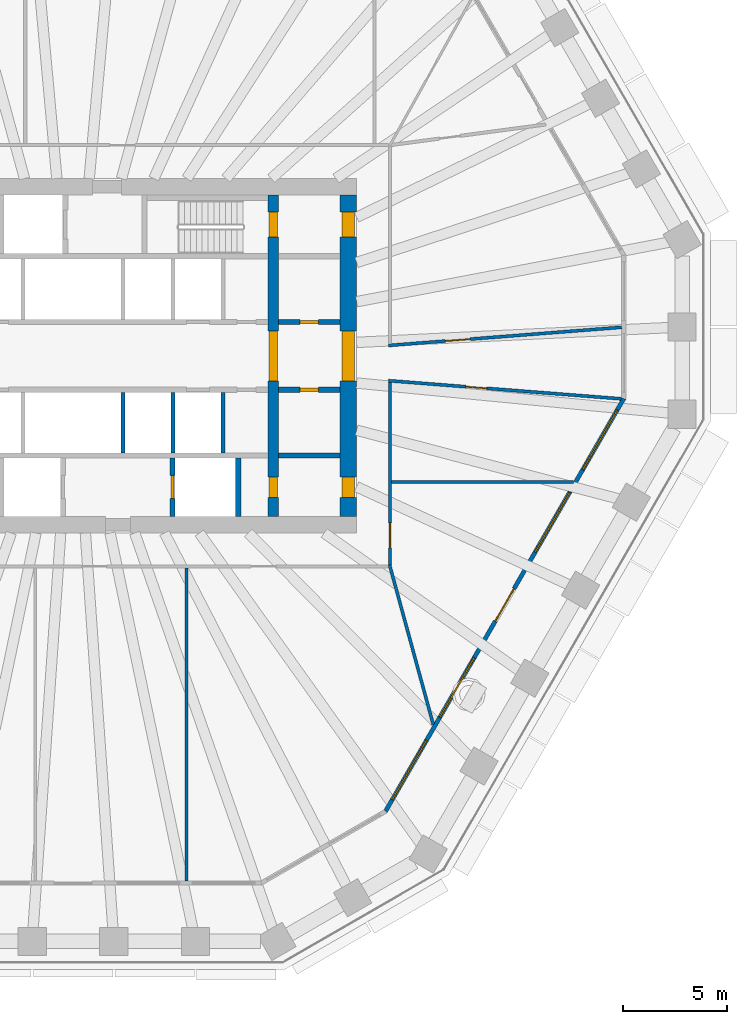
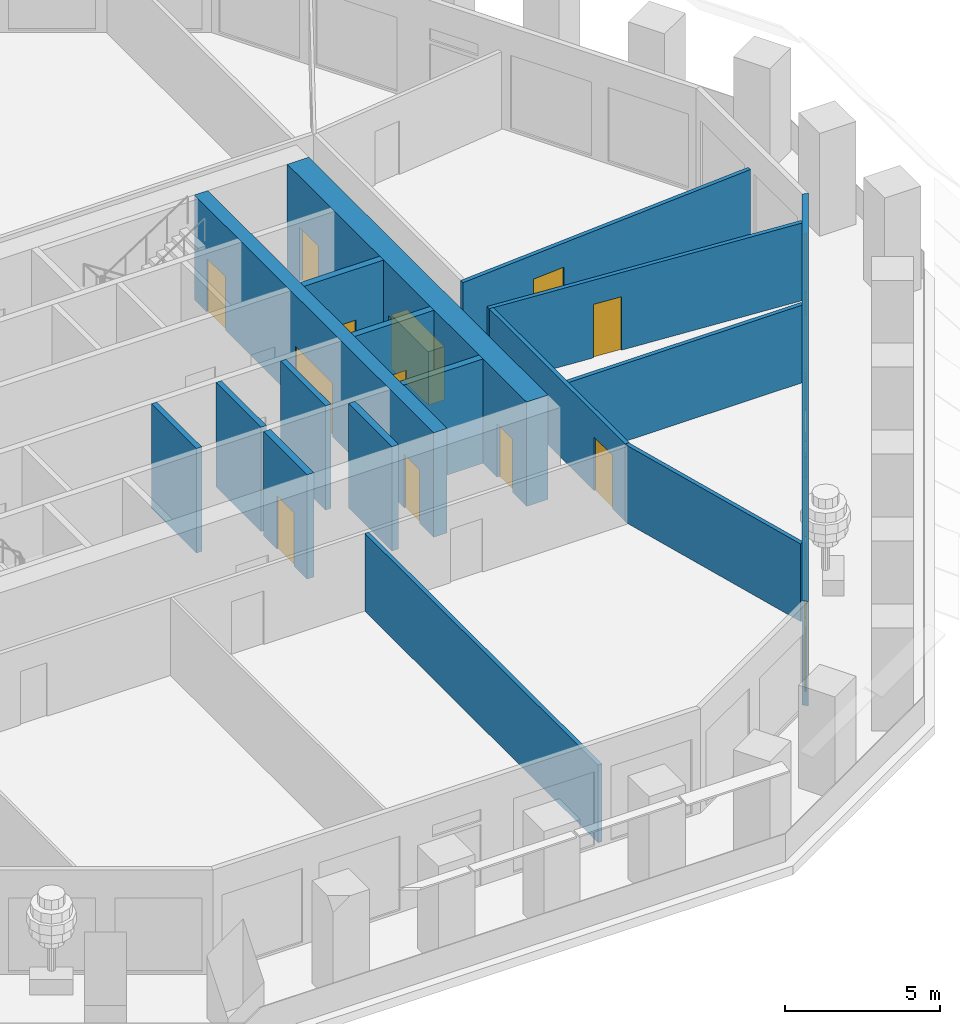
# One storey, part 5 of 12: 17 walls, 13 doors, 5 windows, 18 openings.
"""IFC4 building model written with IfcOpenShell, lengths in metres."""

from ifc_helpers import new_model, si_unit, direction, frame, frame_2d, origin, place, context, subcontext, project, spatial, polyline, rectangle, outline, extrude, material, layer, layer_set, type_object, element, fill, save


model = new_model("IFC4")

# Units and contexts
model_context = context("Model", 3, precision=1e-05, world=origin(), true_north=direction((0.0, 1.0)))
body_context = subcontext(model_context, "Body", "Model", "MODEL_VIEW")
ifc_project = project(units=[si_unit("LENGTHUNIT", "METRE"), si_unit("AREAUNIT", "SQUARE_METRE"), si_unit("VOLUMEUNIT", "CUBIC_METRE"), si_unit("PLANEANGLEUNIT", "RADIAN"), si_unit("MASSUNIT", "GRAM", prefix="KILO")], contexts=[model_context])

# Site, building, storey
site_placement = place(None, origin())
site = spatial("IfcSite", under=ifc_project, at=site_placement, CompositionType="ELEMENT")
building_placement = place(site_placement, origin())
building = spatial("IfcBuilding", under=site, at=building_placement, Name="Frailejon Research Tower", CompositionType="ELEMENT")
storey_placement = place(building_placement, frame((0.0, 0.0, 130.800048828125)))
storey = spatial("IfcBuildingStorey", under=building, at=storey_placement, Name="L28", CompositionType="ELEMENT", Elevation=130.800048828125)

# Wall, openings, doors
ifc_material_1 = material(Name="Concrete C60/75", Category="concrete")
ifc_layer_1 = layer(ifc_material_1, 0.5)
ifc_layer_set_1 = layer_set([ifc_layer_1], Name="Core shear wall 500 C60/75")
wall_type_1 = type_object("IfcWallType", Name="Core shear wall 500 C60/75", PredefinedType="SHEAR", material=ifc_layer_set_1)
wall_1_placement = place(storey_placement, frame((9.60009765625, -7.699951171875, 0.0), z_axis=(0.0, 0.0, 1.0), x_axis=(0.0, 1.0, 0.0)))
wall_1 = element("IfcWall", 1, at=wall_1_placement, inside=storey, type_object=wall_type_1, Name="Core shear wall", PredefinedType="SHEAR", context=body_context, shape_type="SweptSolid", body=[
    extrude(rectangle(XDim=15.39990234375, YDim=0.5, at=frame_2d((7.699951171875, 0.0))), origin(), (0.0, 0.0, 1.0), 4.099853515625),
])
opening_1_placement = place(wall_1_placement, frame((6.5, 0.0, 0.0)))
opening_1 = element("IfcOpeningElement", 2, at=opening_1_placement, cuts=wall_1, Name="Opening D2", PredefinedType="OPENING", context=body_context, shape_type="SweptSolid", body=[
    extrude(rectangle(XDim=2.39990234375, YDim=2.10009765625, at=frame_2d((1.199951171875, 1.050048828125))), frame((0.0, 0.260009765625, 0.0), z_axis=(0.0, -1.0, 0.0), x_axis=(1.0, 0.0, 0.0)), (0.0, 0.0, 1.0), 0.52001953125),
])
opening_2_placement = place(wall_1_placement, frame((13.39990234375, 0.0, 0.0)))
opening_2 = element("IfcOpeningElement", 3, at=opening_2_placement, cuts=wall_1, Name="Opening D1", PredefinedType="OPENING", context=body_context, shape_type="SweptSolid", body=[
    extrude(rectangle(XDim=1.199951171875, YDim=2.10009765625, at=frame_2d((0.60009765625, 1.050048828125))), frame((0.0, 0.260009765625, 0.0), z_axis=(0.0, -1.0, 0.0), x_axis=(1.0, 0.0, 0.0)), (0.0, 0.0, 1.0), 0.52001953125),
])
opening_3_placement = place(wall_1_placement, frame((0.89990234375, 0.0, 0.0)))
opening_3 = element("IfcOpeningElement", 4, at=opening_3_placement, cuts=wall_1, Name="Opening D4", PredefinedType="OPENING", context=body_context, shape_type="SweptSolid", body=[
    extrude(rectangle(XDim=1.0, YDim=2.10009765625, at=frame_2d((0.5, 1.050048828125))), frame((0.0, 0.260009765625, 0.0), z_axis=(0.0, -1.0, 0.0), x_axis=(1.0, 0.0, 0.0)), (0.0, 0.0, 1.0), 0.52001953125),
])
ifc_material_2 = material(Name="Steel", Category="steel")
door_type_1 = type_object("IfcDoorType", Name="Lobby double door", OperationType="DOUBLE_DOOR_SINGLE_SWING", PredefinedType="DOOR", material=ifc_material_2)
door_1_placement = place(opening_1_placement, origin())
door_1 = element("IfcDoor", 5, at=door_1_placement, inside=storey, type_object=door_type_1, Name="Lobby door", OperationType="DOUBLE_DOOR_SINGLE_SWING", OverallHeight=2.10009765625, OverallWidth=2.39990234375, PredefinedType="DOOR", context=body_context, shape_type="SweptSolid", body=[
    extrude(rectangle(XDim=2.39990234375, YDim=2.10009765625, at=frame_2d((1.199951171875, 1.050048828125))), frame((0.0, 0.199951171875, 0.0), z_axis=(0.0, -1.0, 0.0), x_axis=(1.0, 0.0, 0.0)), (0.0, 0.0, 1.0), 0.39990234375),
])
fill(opening_1, door_1)
ifc_material_3 = material(Name="Steel", Category="steel")
door_type_2 = type_object("IfcDoorType", Name="Service door", OperationType="SINGLE_SWING_LEFT", PredefinedType="DOOR", material=ifc_material_3)
door_2_placement = place(opening_3_placement, origin())
door_2 = element("IfcDoor", 6, at=door_2_placement, inside=storey, type_object=door_type_2, Name="Riser door", OperationType="SINGLE_SWING_RIGHT", OverallHeight=2.10009765625, OverallWidth=1.0, PredefinedType="DOOR", context=body_context, shape_type="SweptSolid", body=[
    extrude(rectangle(XDim=1.0, YDim=2.10009765625, at=frame_2d((0.5, 1.050048828125))), frame((0.0, 0.199951171875, 0.0), z_axis=(0.0, -1.0, 0.0), x_axis=(1.0, 0.0, 0.0)), (0.0, 0.0, 1.0), 0.39990234375),
])
fill(opening_3, door_2)
ifc_material_4 = material(Name="Steel", Category="steel")
door_type_3 = type_object("IfcDoorType", Name="Stair door", OperationType="SINGLE_SWING_LEFT", PredefinedType="DOOR", material=ifc_material_4)
door_3_placement = place(opening_2_placement, origin())
door_3 = element("IfcDoor", 7, at=door_3_placement, inside=storey, type_object=door_type_3, Name="Stair door ST3", OperationType="SINGLE_SWING_RIGHT", OverallHeight=2.10009765625, OverallWidth=1.199951171875, PredefinedType="DOOR", context=body_context, shape_type="SweptSolid", body=[
    extrude(rectangle(XDim=1.199951171875, YDim=2.10009765625, at=frame_2d((0.60009765625, 1.050048828125))), frame((0.0, 0.199951171875, 0.0), z_axis=(0.0, -1.0, 0.0), x_axis=(1.0, 0.0, 0.0)), (0.0, 0.0, 1.0), 0.39990234375),
])
fill(opening_2, door_3)

ifc_material_5 = material(Name="Concrete C60/75", Category="concrete")
ifc_layer_2 = layer(ifc_material_5, 0.800048828125)
ifc_layer_set_2 = layer_set([ifc_layer_2], Name="Core shear wall 800 C60/75")
wall_type_2 = type_object("IfcWallType", Name="Core shear wall 800 C60/75", PredefinedType="SHEAR", material=ifc_layer_set_2)
wall_2_placement = place(storey_placement, frame((13.199951171875, -7.699951171875, 0.0), z_axis=(0.0, 0.0, 1.0), x_axis=(0.0, 1.0, 0.0)))
wall_2 = element("IfcWall", 8, at=wall_2_placement, inside=storey, type_object=wall_type_2, Name="Core shear wall", PredefinedType="SHEAR", context=body_context, shape_type="SweptSolid", body=[
    extrude(rectangle(XDim=15.39990234375, YDim=0.800048828125, at=frame_2d((7.699951171875, 0.0))), origin(), (0.0, 0.0, 1.0), 4.099853515625),
])
opening_4_placement = place(wall_2_placement, frame((6.5, 0.0, 0.0)))
opening_4 = element("IfcOpeningElement", 9, at=opening_4_placement, cuts=wall_2, Name="Opening D2", PredefinedType="OPENING", context=body_context, shape_type="SweptSolid", body=[
    extrude(rectangle(XDim=2.39990234375, YDim=2.10009765625, at=frame_2d((1.199951171875, 1.050048828125))), frame((0.0, 0.409912109375, 0.0), z_axis=(0.0, -1.0, 0.0), x_axis=(1.0, 0.0, 0.0)), (0.0, 0.0, 1.0), 0.820068359375),
])
opening_5_placement = place(wall_2_placement, frame((13.39990234375, 0.0, 0.0)))
opening_5 = element("IfcOpeningElement", 10, at=opening_5_placement, cuts=wall_2, Name="Opening D7", PredefinedType="OPENING", context=body_context, shape_type="SweptSolid", body=[
    extrude(rectangle(XDim=1.199951171875, YDim=2.10009765625, at=frame_2d((0.60009765625, 1.050048828125))), frame((0.0, 0.409912109375, 0.0), z_axis=(0.0, -1.0, 0.0), x_axis=(1.0, 0.0, 0.0)), (0.0, 0.0, 1.0), 0.820068359375),
])
opening_6_placement = place(wall_2_placement, frame((0.89990234375, 0.0, 0.0)))
opening_6 = element("IfcOpeningElement", 11, at=opening_6_placement, cuts=wall_2, Name="Opening D4", PredefinedType="OPENING", context=body_context, shape_type="SweptSolid", body=[
    extrude(rectangle(XDim=1.0, YDim=2.10009765625, at=frame_2d((0.5, 1.050048828125))), frame((0.0, 0.409912109375, 0.0), z_axis=(0.0, -1.0, 0.0), x_axis=(1.0, 0.0, 0.0)), (0.0, 0.0, 1.0), 0.820068359375),
])
door_4_placement = place(opening_4_placement, origin())
door_4 = element("IfcDoor", 12, at=door_4_placement, inside=storey, type_object=door_type_1, Name="Lobby door", OperationType="DOUBLE_DOOR_SINGLE_SWING", OverallHeight=2.10009765625, OverallWidth=2.39990234375, PredefinedType="DOOR", context=body_context, shape_type="SweptSolid", body=[
    extrude(rectangle(XDim=2.39990234375, YDim=2.10009765625, at=frame_2d((1.199951171875, 1.050048828125))), frame((0.0, 0.300048828125, 0.0), z_axis=(0.0, -1.0, 0.0), x_axis=(1.0, 0.0, 0.0)), (0.0, 0.0, 1.0), 0.60009765625),
])
fill(opening_4, door_4)
door_5_placement = place(opening_6_placement, origin())
door_5 = element("IfcDoor", 13, at=door_5_placement, inside=storey, type_object=door_type_2, Name="Store door", OperationType="SINGLE_SWING_LEFT", OverallHeight=2.10009765625, OverallWidth=1.0, PredefinedType="DOOR", context=body_context, shape_type="SweptSolid", body=[
    extrude(rectangle(XDim=1.0, YDim=2.10009765625, at=frame_2d((0.5, 1.050048828125))), frame((0.0, 0.300048828125, 0.0), z_axis=(0.0, -1.0, 0.0), x_axis=(1.0, 0.0, 0.0)), (0.0, 0.0, 1.0), 0.60009765625),
])
fill(opening_6, door_5)
ifc_material_6 = material(Name="Steel", Category="steel")
door_type_4 = type_object("IfcDoorType", Name="Stair exit door", OperationType="SINGLE_SWING_LEFT", PredefinedType="DOOR", material=ifc_material_6)
door_6_placement = place(opening_5_placement, origin())
door_6 = element("IfcDoor", 14, at=door_6_placement, inside=storey, type_object=door_type_4, Name="Stair exit door ST3", OperationType="SINGLE_SWING_LEFT", OverallHeight=2.10009765625, OverallWidth=1.199951171875, PredefinedType="DOOR", context=body_context, shape_type="SweptSolid", body=[
    extrude(rectangle(XDim=1.199951171875, YDim=2.10009765625, at=frame_2d((0.60009765625, 1.050048828125))), frame((0.0, 0.300048828125, 0.0), z_axis=(0.0, -1.0, 0.0), x_axis=(1.0, 0.0, 0.0)), (0.0, 0.0, 1.0), 0.60009765625),
])
fill(opening_5, door_6)

# Wall, opening, door
ifc_material_7 = material(Name="Gypsum board and masonry partition", Category="masonry")
ifc_layer_3 = layer(ifc_material_7, 0.14990234375)
ifc_layer_set_3 = layer_set([ifc_layer_3], Name="Corridor wall EI 60, gypsum on steel studs 150")
wall_type_3 = type_object("IfcWallType", Name="Corridor wall EI 60, gypsum on steel studs 150", PredefinedType="PARTITIONING", material=ifc_layer_set_3)
wall_3_placement = place(storey_placement, frame((15.199951171875, -10.02490234375, 0.0), z_axis=(0.0, 0.0, 1.0), x_axis=(0.0, 1.0, 0.0)))
wall_3 = element("IfcWall", 15, at=wall_3_placement, inside=storey, type_object=wall_type_3, Name="T:IW:L28:003", PredefinedType="PARTITIONING", context=body_context, shape_type="SweptSolid", body=[
    extrude(rectangle(XDim=8.75048828125, YDim=0.14990234375, at=frame_2d((4.375244140625, 0.0))), origin(), (0.0, 0.0, 1.0), 3.050048828125),
])
opening_7_placement = place(wall_3_placement, frame((0.812744140625, 0.0, 0.0)))
opening_7 = element("IfcOpeningElement", 16, at=opening_7_placement, cuts=wall_3, Name="Opening D1677", PredefinedType="OPENING", context=body_context, shape_type="SweptSolid", body=[
    extrude(rectangle(XDim=1.199951171875, YDim=2.10009765625, at=frame_2d((0.60009765625, 1.050048828125))), frame((0.0, 0.0849609375, 0.0), z_axis=(0.0, -1.0, 0.0), x_axis=(1.0, 0.0, 0.0)), (0.0, 0.0, 1.0), 0.169921875),
])
ifc_material_8 = material(Name="Timber door leaf", Category="wood")
door_type_5 = type_object("IfcDoorType", Name="Door laboratory, timber, vision panel 1200", OperationType="NOTDEFINED", PredefinedType="DOOR", material=ifc_material_8)
door_7_placement = place(opening_7_placement, origin())
door_7 = element("IfcDoor", 17, at=door_7_placement, inside=storey, type_object=door_type_5, Name="D1677", OperationType="DOUBLE_DOOR_SINGLE_SWING", OverallHeight=2.10009765625, OverallWidth=1.199951171875, PredefinedType="DOOR", context=body_context, shape_type="SweptSolid", body=[
    extrude(rectangle(XDim=1.199951171875, YDim=2.10009765625, at=frame_2d((0.60009765625, 1.050048828125))), frame((0.0, 0.02490234375, 0.0), z_axis=(0.0, -1.0, 0.0), x_axis=(1.0, 0.0, 0.0)), (0.0, 0.0, 1.0), 0.050048828125),
])
fill(opening_7, door_7)

wall_4_placement = place(storey_placement, frame((15.125244140625, 0.494873046875, 0.0), z_axis=(0.0, 0.0, 1.0), x_axis=(0.996973035288, 0.07774809907, 0.0)))
wall_4 = element("IfcWall", 18, at=wall_4_placement, inside=storey, type_object=wall_type_3, Name="T:IW:L28:009", PredefinedType="PARTITIONING", context=body_context, shape_type="SweptSolid", body=[
    extrude(rectangle(XDim=11.2197265625, YDim=0.14990234375, at=frame_2d((5.60986328125, 0.0))), origin(), (0.0, 0.0, 1.0), 3.050048828125),
])
opening_8_placement = place(wall_4_placement, frame((2.736083984375, 0.0, 0.0)))
opening_8 = element("IfcOpeningElement", 19, at=opening_8_placement, cuts=wall_4, Name="Opening D1663", PredefinedType="OPENING", context=body_context, shape_type="SweptSolid", body=[
    extrude(rectangle(XDim=1.199951171875, YDim=2.10009765625, at=frame_2d((0.60009765625, 1.050048828125))), frame((0.0, 0.0849609375, 0.0), z_axis=(0.0, -1.0, 0.0), x_axis=(1.0, 0.0, 0.0)), (0.0, 0.0, 1.0), 0.169921875),
])
door_8_placement = place(opening_8_placement, origin())
door_8 = element("IfcDoor", 20, at=door_8_placement, inside=storey, type_object=door_type_5, Name="D1663", OperationType="DOUBLE_DOOR_SINGLE_SWING", OverallHeight=2.10009765625, OverallWidth=1.199951171875, PredefinedType="DOOR", context=body_context, shape_type="SweptSolid", body=[
    extrude(rectangle(XDim=1.199951171875, YDim=2.10009765625, at=frame_2d((0.60009765625, 1.050048828125))), frame((0.0, 0.02490234375, 0.0), z_axis=(0.0, -1.0, 0.0), x_axis=(1.0, 0.0, 0.0)), (0.0, 0.0, 1.0), 0.050048828125),
])
fill(opening_8, door_8)

wall_5_placement = place(storey_placement, frame((15.125244140625, -1.193603515625, 0.0), z_axis=(0.0, 0.0, 1.0), x_axis=(0.996973662759, -0.07774005251, 0.0)))
wall_5 = element("IfcWall", 21, at=wall_5_placement, inside=storey, type_object=wall_type_3, Name="T:IW:L28:010", PredefinedType="PARTITIONING", context=body_context, shape_type="SweptSolid", body=[
    extrude(rectangle(XDim=11.198974609375, YDim=0.14990234375, at=frame_2d((5.599609375, 0.0))), origin(), (0.0, 0.0, 1.0), 3.050048828125),
])
opening_9_placement = place(wall_5_placement, frame((3.723388671875, 0.0, 0.0)))
opening_9 = element("IfcOpeningElement", 22, at=opening_9_placement, cuts=wall_5, Name="Opening D1678", PredefinedType="OPENING", context=body_context, shape_type="SweptSolid", body=[
    extrude(rectangle(XDim=1.0, YDim=2.10009765625, at=frame_2d((0.5, 1.050048828125))), frame((0.0, 0.0849609375, 0.0), z_axis=(0.0, -1.0, 0.0), x_axis=(1.0, 0.0, 0.0)), (0.0, 0.0, 1.0), 0.169921875),
])
ifc_material_9 = material(Name="Timber door leaf", Category="wood")
door_type_6 = type_object("IfcDoorType", Name="Door single leaf, timber, steel frame 1000", OperationType="NOTDEFINED", PredefinedType="DOOR", material=ifc_material_9)
door_9_placement = place(opening_9_placement, origin())
door_9 = element("IfcDoor", 23, at=door_9_placement, inside=storey, type_object=door_type_6, Name="D1678", OperationType="SINGLE_SWING_RIGHT", OverallHeight=2.10009765625, OverallWidth=1.0, PredefinedType="DOOR", context=body_context, shape_type="SweptSolid", body=[
    extrude(rectangle(XDim=1.0, YDim=2.10009765625, at=frame_2d((0.5, 1.050048828125))), frame((0.0, 0.02490234375, 0.0), z_axis=(0.0, -1.0, 0.0), x_axis=(1.0, 0.0, 0.0)), (0.0, 0.0, 1.0), 0.050048828125),
])
fill(opening_9, door_9)

# Walls
ifc_material_10 = material(Name="Gypsum board and masonry partition", Category="masonry")
ifc_layer_4 = layer(ifc_material_10, 0.14990234375)
ifc_layer_set_4 = layer_set([ifc_layer_4], Name="Laboratory partition, blockwork 150")
wall_type_4 = type_object("IfcWallType", Name="Laboratory partition, blockwork 150", PredefinedType="PARTITIONING", material=ifc_layer_set_4)
wall_6_placement = place(storey_placement, frame((5.434814453125, -25.182861328125, 0.0), z_axis=(0.0, 0.0, 1.0), x_axis=(0.0, 1.0, 0.0)))
element("IfcWall", 24, at=wall_6_placement, inside=storey, type_object=wall_type_4, Name="T:IW:L28:016", PredefinedType="PARTITIONING", context=body_context, shape_type="SweptSolid", body=[
    extrude(rectangle(XDim=15.0078125, YDim=0.14990234375, at=frame_2d((7.50390625, 0.0))), origin(), (0.0, 0.0, 1.0), 3.050048828125),
])
wall_7_placement = place(storey_placement, frame((15.18017578125, -10.027587890625, 0.0), z_axis=(0.0, 0.0, 1.0), x_axis=(0.263973985393, -0.964529799973, 0.0)))
element("IfcWall", 25, at=wall_7_placement, inside=storey, type_object=wall_type_4, Name="T:IW:L28:017", PredefinedType="PARTITIONING", context=body_context, shape_type="SweptSolid", body=[
    extrude(rectangle(XDim=7.93359375, YDim=0.14990234375, at=frame_2d((3.966796875, 0.0))), origin(), (0.0, 0.0, 1.0), 3.050048828125),
])
wall_8_placement = place(storey_placement, frame((15.27490234375, -6.048828125, 0.0), z_axis=(0.0, 0.0, 1.0), x_axis=(1.0, 0.0, 0.0)))
element("IfcWall", 26, at=wall_8_placement, inside=storey, type_object=wall_type_4, Name="T:IW:L28:018", PredefinedType="PARTITIONING", context=body_context, shape_type="SweptSolid", body=[
    extrude(rectangle(XDim=8.714599609375, YDim=0.14990234375, at=frame_2d((4.357421875, 0.0))), origin(), (0.0, 0.0, 1.0), 3.050048828125),
])
ifc_material_11 = material(Name="Concrete C60/75", Category="concrete")
ifc_layer_5 = layer(ifc_material_11, 0.199951171875)
ifc_layer_set_5 = layer_set([ifc_layer_5], Name="Shaft wall 200 C60/75")
wall_type_5 = type_object("IfcWallType", Name="Shaft wall 200 C60/75", PredefinedType="SOLIDWALL", material=ifc_layer_set_5)
for number, where, z_axis, x_axis, name in (
    (27, (2.39990234375, -4.64990234375, 0.0), (0.0, 0.0, 1.0), (0.0, 1.0, 0.0), "Shaft wall"),
    (28, (4.800048828125, -4.64990234375, 0.0), (0.0, 0.0, 1.0), (0.0, 1.0, 0.0), "Shaft wall"),
    (29, (7.199951171875, -4.64990234375, 0.0), (0.0, 0.0, 1.0), (0.0, 1.0, 0.0), "Shaft wall"),
):
    element("IfcWall", number, at=place(storey_placement, frame(where, z_axis=z_axis, x_axis=x_axis)), inside=storey, type_object=wall_type_5, Name=name, PredefinedType="SOLIDWALL", context=body_context, shape_type="SweptSolid", body=[
        extrude(rectangle(XDim=2.89990234375, YDim=0.199951171875, at=frame_2d((1.449951171875, 0.0))), origin(), (0.0, 0.0, 1.0), 4.099853515625),
    ])

# Wall, opening, door
ifc_material_12 = material(Name="Concrete C60/75", Category="concrete")
ifc_layer_6 = layer(ifc_material_12, 0.25)
ifc_layer_set_6 = layer_set([ifc_layer_6], Name="Shaft wall 250 C60/75")
wall_type_6 = type_object("IfcWallType", Name="Shaft wall 250 C60/75", PredefinedType="SOLIDWALL", material=ifc_layer_set_6)
wall_9_placement = place(storey_placement, frame((9.85009765625, 1.625, 0.0), z_axis=(0.0, 0.0, 1.0), x_axis=(1.0, 0.0, 0.0)))
wall_9 = element("IfcWall", 30, at=wall_9_placement, inside=storey, type_object=wall_type_6, Name="Shaft wall", PredefinedType="SOLIDWALL", context=body_context, shape_type="SweptSolid", body=[
    extrude(rectangle(XDim=2.949951171875, YDim=0.25, at=frame_2d((1.47509765625, 0.0))), origin(), (0.0, 0.0, 1.0), 4.099853515625),
])
opening_10_placement = place(wall_9_placement, frame((1.02490234375, 0.0, 0.0)))
opening_10 = element("IfcOpeningElement", 31, at=opening_10_placement, cuts=wall_9, Name="Opening D8", PredefinedType="OPENING", context=body_context, shape_type="SweptSolid", body=[
    extrude(rectangle(XDim=0.89990234375, YDim=2.10009765625, at=frame_2d((0.449951171875, 1.050048828125))), frame((0.0, 0.135009765625, 0.0), z_axis=(0.0, -1.0, 0.0), x_axis=(1.0, 0.0, 0.0)), (0.0, 0.0, 1.0), 0.27001953125),
])
ifc_material_13 = material(Name="Steel", Category="steel")
door_type_7 = type_object("IfcDoorType", Name="Core room door", OperationType="SINGLE_SWING_LEFT", PredefinedType="DOOR", material=ifc_material_13)
door_10_placement = place(opening_10_placement, origin())
door_10 = element("IfcDoor", 32, at=door_10_placement, inside=storey, type_object=door_type_7, Name="Room door", OperationType="SINGLE_SWING_LEFT", OverallHeight=2.10009765625, OverallWidth=0.89990234375, PredefinedType="DOOR", context=body_context, shape_type="SweptSolid", body=[
    extrude(rectangle(XDim=0.89990234375, YDim=2.10009765625, at=frame_2d((0.449951171875, 1.050048828125))), frame((0.0, 0.074951171875, 0.0), z_axis=(0.0, -1.0, 0.0), x_axis=(1.0, 0.0, 0.0)), (0.0, 0.0, 1.0), 0.14990234375),
])
fill(opening_10, door_10)

wall_10_placement = place(storey_placement, frame((9.85009765625, -1.625, 0.0), z_axis=(0.0, 0.0, 1.0), x_axis=(1.0, 0.0, 0.0)))
wall_10 = element("IfcWall", 33, at=wall_10_placement, inside=storey, type_object=wall_type_6, Name="Shaft wall", PredefinedType="SOLIDWALL", context=body_context, shape_type="SweptSolid", body=[
    extrude(rectangle(XDim=2.949951171875, YDim=0.25, at=frame_2d((1.47509765625, 0.0))), origin(), (0.0, 0.0, 1.0), 4.099853515625),
])
opening_11_placement = place(wall_10_placement, frame((1.02490234375, 0.0, 0.0)))
opening_11 = element("IfcOpeningElement", 34, at=opening_11_placement, cuts=wall_10, Name="Opening D8", PredefinedType="OPENING", context=body_context, shape_type="SweptSolid", body=[
    extrude(rectangle(XDim=0.89990234375, YDim=2.10009765625, at=frame_2d((0.449951171875, 1.050048828125))), frame((0.0, 0.135009765625, 0.0), z_axis=(0.0, -1.0, 0.0), x_axis=(1.0, 0.0, 0.0)), (0.0, 0.0, 1.0), 0.27001953125),
])
door_11_placement = place(opening_11_placement, origin())
door_11 = element("IfcDoor", 35, at=door_11_placement, inside=storey, type_object=door_type_7, Name="Room door", OperationType="SINGLE_SWING_LEFT", OverallHeight=2.10009765625, OverallWidth=0.89990234375, PredefinedType="DOOR", context=body_context, shape_type="SweptSolid", body=[
    extrude(rectangle(XDim=0.89990234375, YDim=2.10009765625, at=frame_2d((0.449951171875, 1.050048828125))), frame((0.0, 0.074951171875, 0.0), z_axis=(0.0, -1.0, 0.0), x_axis=(1.0, 0.0, 0.0)), (0.0, 0.0, 1.0), 0.14990234375),
])
fill(opening_11, door_11)

# Wall
wall_11_placement = place(storey_placement, frame((9.85009765625, -4.77490234375, 0.0), z_axis=(0.0, 0.0, 1.0), x_axis=(1.0, 0.0, 0.0)))
element("IfcWall", 36, at=wall_11_placement, inside=storey, type_object=wall_type_6, Name="Shaft wall", PredefinedType="SOLIDWALL", context=body_context, shape_type="SweptSolid", body=[
    extrude(rectangle(XDim=2.949951171875, YDim=0.25, at=frame_2d((1.47509765625, 0.0))), origin(), (0.0, 0.0, 1.0), 4.099853515625),
])

# Wall, opening, door
wall_12_placement = place(storey_placement, frame((4.77490234375, -7.699951171875, 0.0), z_axis=(0.0, 0.0, 1.0), x_axis=(0.0, 1.0, 0.0)))
wall_12 = element("IfcWall", 37, at=wall_12_placement, inside=storey, type_object=wall_type_6, Name="Shaft wall", PredefinedType="SOLIDWALL", context=body_context, shape_type="SweptSolid", body=[
    extrude(rectangle(XDim=2.800048828125, YDim=0.25, at=frame_2d((1.39990234375, 0.0))), origin(), (0.0, 0.0, 1.0), 4.099853515625),
])
opening_12_placement = place(wall_12_placement, frame((0.85009765625, 0.0, 0.0)))
opening_12 = element("IfcOpeningElement", 38, at=opening_12_placement, cuts=wall_12, Name="Opening LD", PredefinedType="OPENING", context=body_context, shape_type="SweptSolid", body=[
    extrude(rectangle(XDim=1.10009765625, YDim=2.10009765625, at=frame_2d((0.550048828125, 1.050048828125))), frame((0.0, 0.135009765625, 0.0), z_axis=(0.0, -1.0, 0.0), x_axis=(1.0, 0.0, 0.0)), (0.0, 0.0, 1.0), 0.27001953125),
])
ifc_material_14 = material(Name="Steel", Category="steel")
door_type_8 = type_object("IfcDoorType", Name="Lift landing door", OperationType="DOUBLE_DOOR_SLIDING", PredefinedType="DOOR", material=ifc_material_14)
door_12_placement = place(opening_12_placement, origin())
door_12 = element("IfcDoor", 39, at=door_12_placement, inside=storey, type_object=door_type_8, Name="Lift landing door", OperationType="DOUBLE_DOOR_SLIDING", OverallHeight=2.10009765625, OverallWidth=1.10009765625, PredefinedType="DOOR", context=body_context, shape_type="SweptSolid", body=[
    extrude(rectangle(XDim=1.10009765625, YDim=2.10009765625, at=frame_2d((0.550048828125, 1.050048828125))), frame((0.0, 0.074951171875, 0.0), z_axis=(0.0, -1.0, 0.0), x_axis=(1.0, 0.0, 0.0)), (0.0, 0.0, 1.0), 0.14990234375),
])
fill(opening_12, door_12)

# Wall
wall_13_placement = place(storey_placement, frame((7.925048828125, -7.699951171875, 0.0), z_axis=(0.0, 0.0, 1.0), x_axis=(0.0, 1.0, 0.0)))
element("IfcWall", 40, at=wall_13_placement, inside=storey, type_object=wall_type_6, Name="Shaft wall", PredefinedType="SOLIDWALL", context=body_context, shape_type="SweptSolid", body=[
    extrude(rectangle(XDim=2.800048828125, YDim=0.25, at=frame_2d((1.39990234375, 0.0))), origin(), (0.0, 0.0, 1.0), 4.099853515625),
])

# Wall, openings, door, windows
ifc_material_15 = material(Name="Concrete C40/50 precast window wall panel", Category="concrete")
ifc_layer_7 = layer(ifc_material_15, 0.199951171875)
ifc_layer_set_7 = layer_set([ifc_layer_7], Name="Window wall 200")
wall_type_7 = type_object("IfcWallType", Name="Window wall 200", PredefinedType="SOLIDWALL", material=ifc_layer_set_7)
wall_14_placement = place(storey_placement, frame((14.98486328125, -21.845458984375, 0.0), z_axis=(0.0, 0.0, 1.0), x_axis=(0.50000204422, 0.86602422355, 0.0)))
wall_14 = element("IfcWall", 41, at=wall_14_placement, inside=storey, type_object=wall_type_7, Name="Exterior wall L28", PredefinedType="SOLIDWALL", context=body_context, shape_type="SweptSolid", body=[
    extrude(outline(polyline([(-0.02685546875, -0.10009765625), (1.014404296875, -0.10009765625), (2.055419921875, -0.10009765625), (3.0966796875, -0.10009765625), (4.137939453125, -0.10009765625), (5.17919921875, -0.10009765625), (6.22021484375, -0.10009765625), (7.261474609375, -0.10009765625), (8.302734375, -0.10009765625), (9.343994140625, -0.10009765625), (10.385009765625, -0.10009765625), (11.42626953125, -0.10009765625), (12.467529296875, -0.10009765625), (13.508544921875, -0.10009765625), (14.5498046875, -0.10009765625), (15.591064453125, -0.10009765625), (16.63232421875, -0.10009765625), (17.67333984375, -0.10009765625), (18.714599609375, -0.10009765625), (19.755859375, -0.10009765625), (20.797119140625, -0.10009765625), (21.838134765625, -0.10009765625), (22.87939453125, -0.10009765625), (22.82568359375, 0.10009765625), (21.789306640625, 0.10009765625), (20.753173828125, 0.10009765625), (19.716796875, 0.10009765625), (18.680419921875, 0.10009765625), (17.64404296875, 0.10009765625), (16.60791015625, 0.10009765625), (15.571533203125, 0.10009765625), (14.53515625, 0.10009765625), (13.498779296875, 0.10009765625), (12.462646484375, 0.10009765625), (11.42626953125, 0.10009765625), (10.389892578125, 0.10009765625), (9.353759765625, 0.10009765625), (8.3173828125, 0.10009765625), (7.281005859375, 0.10009765625), (6.24462890625, 0.10009765625), (5.20849609375, 0.10009765625), (4.172119140625, 0.10009765625), (3.1357421875, 0.10009765625), (2.099365234375, 0.10009765625), (1.063232421875, 0.10009765625), (0.02685546875, 0.10009765625), (-0.02685546875, -0.10009765625)])), origin(), (0.0, 0.0, 1.0), 4.099853515625),
])
opening_13_placement = place(wall_14_placement, frame((0.63525390625, 0.0, 0.10009765625)))
opening_13 = element("IfcOpeningElement", 42, at=opening_13_placement, cuts=wall_14, Name="Opening W5", PredefinedType="OPENING", context=body_context, shape_type="SweptSolid", body=[
    extrude(rectangle(XDim=3.300048828125, YDim=2.89990234375, at=frame_2d((1.64990234375, 1.449951171875))), frame((0.0, 0.10986328125, 0.0), z_axis=(0.0, -1.0, 0.0), x_axis=(1.0, 0.0, 0.0)), (0.0, 0.0, 1.0), 0.219970703125),
])
opening_14_placement = place(wall_14_placement, frame((5.205810546875, 0.0, 0.10009765625)))
opening_14 = element("IfcOpeningElement", 43, at=opening_14_placement, cuts=wall_14, Name="Opening W5", PredefinedType="OPENING", context=body_context, shape_type="SweptSolid", body=[
    extrude(rectangle(XDim=3.300048828125, YDim=2.89990234375, at=frame_2d((1.64990234375, 1.449951171875))), frame((0.0, 0.10986328125, 0.0), z_axis=(0.0, -1.0, 0.0), x_axis=(1.0, 0.0, 0.0)), (0.0, 0.0, 1.0), 0.219970703125),
])
opening_15_placement = place(wall_14_placement, frame((10.5263671875, 0.0, 0.0)))
opening_15 = element("IfcOpeningElement", 44, at=opening_15_placement, cuts=wall_14, Name="Opening LG28-6", PredefinedType="OPENING", context=body_context, shape_type="SweptSolid", body=[
    extrude(rectangle(XDim=1.800048828125, YDim=2.39990234375, at=frame_2d((0.89990234375, 1.199951171875))), frame((0.0, 0.10986328125, 0.0), z_axis=(0.0, -1.0, 0.0), x_axis=(1.0, 0.0, 0.0)), (0.0, 0.0, 1.0), 0.219970703125),
])
opening_16_placement = place(wall_14_placement, frame((10.5263671875, 0.0, 2.550048828125)))
opening_16 = element("IfcOpeningElement", 45, at=opening_16_placement, cuts=wall_14, Name="Opening W1", PredefinedType="OPENING", context=body_context, shape_type="SweptSolid", body=[
    extrude(rectangle(XDim=1.800048828125, YDim=0.449951171875, at=frame_2d((0.89990234375, 0.22509765625))), frame((0.0, 0.10986328125, 0.0), z_axis=(0.0, -1.0, 0.0), x_axis=(1.0, 0.0, 0.0)), (0.0, 0.0, 1.0), 0.219970703125),
])
opening_17_placement = place(wall_14_placement, frame((14.3466796875, 0.0, 0.10009765625)))
opening_17 = element("IfcOpeningElement", 46, at=opening_17_placement, cuts=wall_14, Name="Opening W5", PredefinedType="OPENING", context=body_context, shape_type="SweptSolid", body=[
    extrude(rectangle(XDim=3.300048828125, YDim=2.89990234375, at=frame_2d((1.64990234375, 1.449951171875))), frame((0.0, 0.10986328125, 0.0), z_axis=(0.0, -1.0, 0.0), x_axis=(1.0, 0.0, 0.0)), (0.0, 0.0, 1.0), 0.219970703125),
])
opening_18_placement = place(wall_14_placement, frame((18.917236328125, 0.0, 0.10009765625)))
opening_18 = element("IfcOpeningElement", 47, at=opening_18_placement, cuts=wall_14, Name="Opening W5", PredefinedType="OPENING", context=body_context, shape_type="SweptSolid", body=[
    extrude(rectangle(XDim=3.300048828125, YDim=2.89990234375, at=frame_2d((1.64990234375, 1.449951171875))), frame((0.0, 0.10986328125, 0.0), z_axis=(0.0, -1.0, 0.0), x_axis=(1.0, 0.0, 0.0)), (0.0, 0.0, 1.0), 0.219970703125),
])
ifc_material_16 = material(Name="Aluminium framed glazed door leaf", Category="aluminium")
door_type_9 = type_object("IfcDoorType", Name="Loggia door 1800x2400", OperationType="DOUBLE_DOOR_SINGLE_SWING", PredefinedType="DOOR", material=ifc_material_16)
door_13_placement = place(opening_15_placement, origin())
door_13 = element("IfcDoor", 48, at=door_13_placement, inside=storey, type_object=door_type_9, Name="Door LG28-6", OperationType="DOUBLE_DOOR_SINGLE_SWING", OverallHeight=2.39990234375, OverallWidth=1.800048828125, PredefinedType="DOOR", context=body_context, shape_type="SweptSolid", body=[
    extrude(rectangle(XDim=1.800048828125, YDim=2.39990234375, at=frame_2d((0.89990234375, 1.199951171875))), frame((0.0, 0.02490234375, 0.0), z_axis=(0.0, -1.0, 0.0), x_axis=(1.0, 0.0, 0.0)), (0.0, 0.0, 1.0), 0.050048828125),
])
fill(opening_15, door_13)
ifc_material_17 = material(Name="Aluminium framed double glazing", Category="aluminium")
window_type_1 = type_object("IfcWindowType", Name="Window 1800x450", PartitioningType="SINGLE_PANEL", PredefinedType="WINDOW", material=ifc_material_17)
window_1_placement = place(opening_16_placement, origin())
window_1 = element("IfcWindow", 49, at=window_1_placement, inside=storey, type_object=window_type_1, Name="Window L28", OverallHeight=0.449951171875, OverallWidth=1.800048828125, PartitioningType="SINGLE_PANEL", PredefinedType="WINDOW", context=body_context, shape_type="SweptSolid", body=[
    extrude(rectangle(XDim=1.800048828125, YDim=0.449951171875, at=frame_2d((0.89990234375, 0.22509765625))), frame((0.0, 0.030029296875, 0.0), z_axis=(0.0, -1.0, 0.0), x_axis=(1.0, 0.0, 0.0)), (0.0, 0.0, 1.0), 0.06005859375),
])
fill(opening_16, window_1)
ifc_material_18 = material(Name="Aluminium framed double glazing", Category="aluminium")
window_type_2 = type_object("IfcWindowType", Name="Window 3300x2900", PartitioningType="SINGLE_PANEL", PredefinedType="WINDOW", material=ifc_material_18)
window_2_placement = place(opening_13_placement, origin())
window_2 = element("IfcWindow", 50, at=window_2_placement, inside=storey, type_object=window_type_2, Name="Window L28", OverallHeight=2.89990234375, OverallWidth=3.300048828125, PartitioningType="SINGLE_PANEL", PredefinedType="WINDOW", context=body_context, shape_type="SweptSolid", body=[
    extrude(rectangle(XDim=3.300048828125, YDim=2.89990234375, at=frame_2d((1.64990234375, 1.449951171875))), frame((0.0, 0.030029296875, 0.0), z_axis=(0.0, -1.0, 0.0), x_axis=(1.0, 0.0, 0.0)), (0.0, 0.0, 1.0), 0.06005859375),
])
fill(opening_13, window_2)
window_3_placement = place(opening_14_placement, origin())
window_3 = element("IfcWindow", 51, at=window_3_placement, inside=storey, type_object=window_type_2, Name="Window L28", OverallHeight=2.89990234375, OverallWidth=3.300048828125, PartitioningType="SINGLE_PANEL", PredefinedType="WINDOW", context=body_context, shape_type="SweptSolid", body=[
    extrude(rectangle(XDim=3.300048828125, YDim=2.89990234375, at=frame_2d((1.64990234375, 1.449951171875))), frame((0.0, 0.030029296875, 0.0), z_axis=(0.0, -1.0, 0.0), x_axis=(1.0, 0.0, 0.0)), (0.0, 0.0, 1.0), 0.06005859375),
])
fill(opening_14, window_3)
window_4_placement = place(opening_17_placement, origin())
window_4 = element("IfcWindow", 52, at=window_4_placement, inside=storey, type_object=window_type_2, Name="Window L28", OverallHeight=2.89990234375, OverallWidth=3.300048828125, PartitioningType="SINGLE_PANEL", PredefinedType="WINDOW", context=body_context, shape_type="SweptSolid", body=[
    extrude(rectangle(XDim=3.300048828125, YDim=2.89990234375, at=frame_2d((1.64990234375, 1.449951171875))), frame((0.0, 0.030029296875, 0.0), z_axis=(0.0, -1.0, 0.0), x_axis=(1.0, 0.0, 0.0)), (0.0, 0.0, 1.0), 0.06005859375),
])
fill(opening_17, window_4)
window_5_placement = place(opening_18_placement, origin())
window_5 = element("IfcWindow", 53, at=window_5_placement, inside=storey, type_object=window_type_2, Name="Window L28", OverallHeight=2.89990234375, OverallWidth=3.300048828125, PartitioningType="SINGLE_PANEL", PredefinedType="WINDOW", context=body_context, shape_type="SweptSolid", body=[
    extrude(rectangle(XDim=3.300048828125, YDim=2.89990234375, at=frame_2d((1.64990234375, 1.449951171875))), frame((0.0, 0.030029296875, 0.0), z_axis=(0.0, -1.0, 0.0), x_axis=(1.0, 0.0, 0.0)), (0.0, 0.0, 1.0), 0.06005859375),
])
fill(opening_18, window_5)

save(model, "model.ifc")
